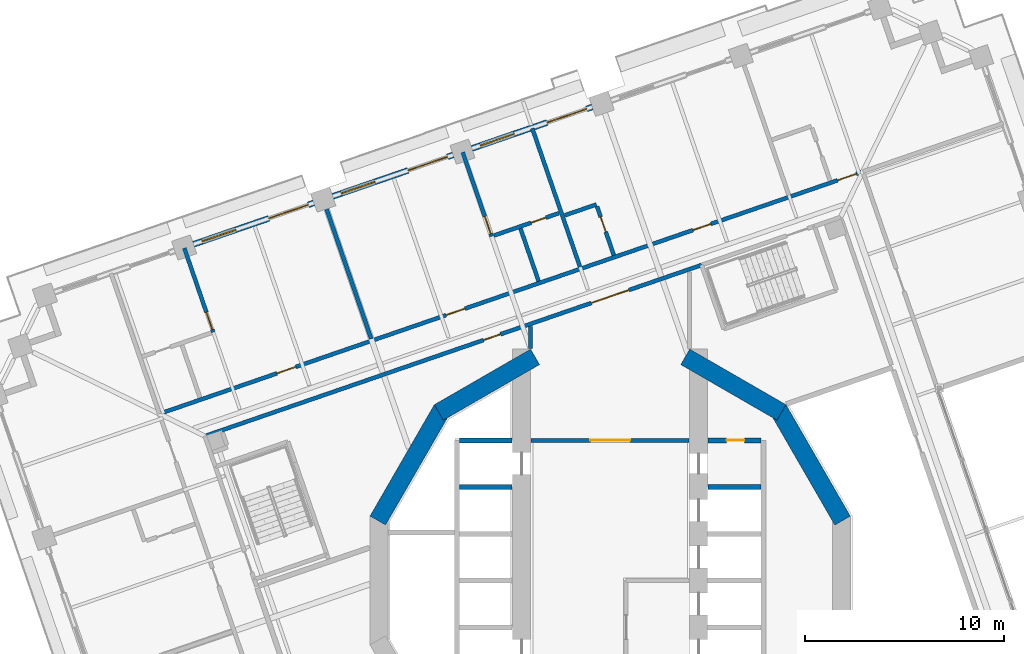
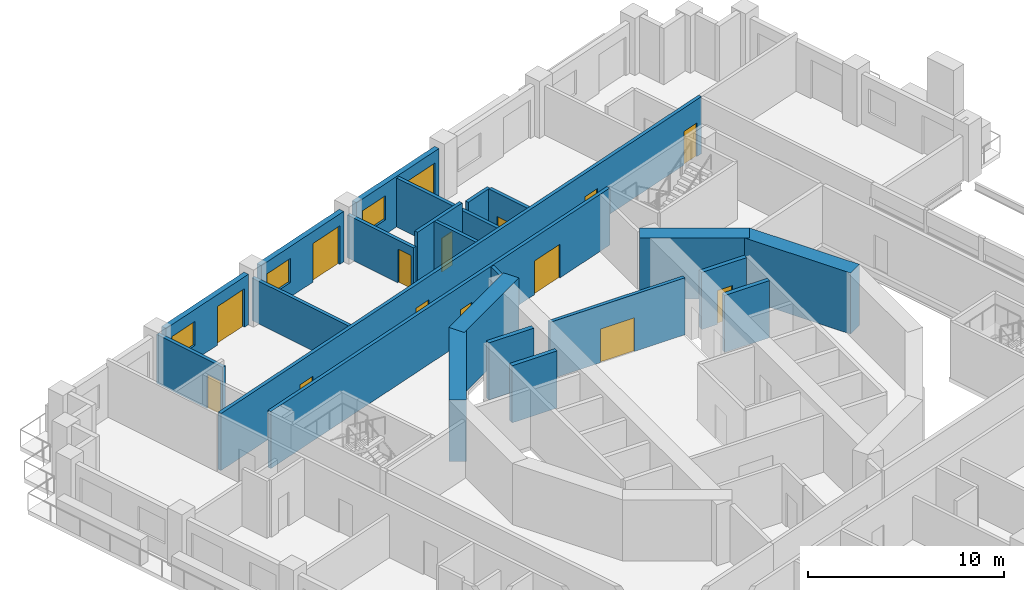
# One storey, part 12 of 21: 23 walls, 15 doors, 3 windows, 18 openings.
"""IFC4 building model written with IfcOpenShell, lengths in metres."""

import ifcopenshell
import ifcopenshell.guid

model = None  # the IFC model being written
_history = None  # IfcOwnerHistory: only IFC2X3 demands one
_inside = {}  # id of a spatial element -> (the spatial element, [elements in it])
_under = {}  # id of a project, library or spatial element -> (it, [spatial elements below it])
_declared = {}  # id of a project -> (the project, [libraries it declares])
_typed = {}  # id of a type object -> (the type object, [elements of that type])
_made_of = {}  # id of a material, layer set ... -> (it, [elements and type objects made of it])


def new_model(schema):
    """Start an empty IFC model of exactly this schema.

    Asked for "IFC4X3", IfcOpenShell would pick the latest addendum, in which some entities
    have other attributes; the version numbers below select the first issue.
    IFC2X3 requires an IfcOwnerHistory on every rooted entity: one is made here for all.
    """
    global model, _history
    if schema == "IFC4X3":
        model = ifcopenshell.file(schema_version=(4, 3, 0, 0))
    else:
        model = ifcopenshell.file(schema=schema)
    _inside.clear()
    _under.clear()
    _declared.clear()
    _typed.clear()
    _made_of.clear()
    _history = None
    if model.schema == "IFC2X3":
        org = make("IfcOrganization", Name="unknown")
        user = make(
            "IfcPersonAndOrganization",
            ThePerson=make("IfcPerson", FamilyName="unknown"),
            TheOrganization=org,
        )
        app = make(
            "IfcApplication",
            ApplicationDeveloper=org,
            Version="unknown",
            ApplicationFullName="unknown",
            ApplicationIdentifier="unknown",
        )
        _history = make(
            "IfcOwnerHistory",
            OwningUser=user,
            OwningApplication=app,
            ChangeAction="ADDED",
            CreationDate=0,
        )
    return model


def make(cls, **values):
    """One entity of the class cls with the attributes given. An attribute that is None is left unset."""
    return model.create_entity(
        cls, **{name: value for name, value in values.items() if value is not None}
    )


def rooted(cls, **values):
    """An entity with a GlobalId (a new one), such as an element, a storey or a relation."""
    return make(cls, GlobalId=ifcopenshell.guid.new(), OwnerHistory=_history, **values)


def si_unit(unit_type, name, prefix=None):
    """IfcSIUnit, for example si_unit("LENGTHUNIT", "METRE", prefix="MILLI")."""
    return make("IfcSIUnit", UnitType=unit_type, Prefix=prefix, Name=name)


def assignment(units):
    """IfcUnitAssignment: the units of a project."""
    return None if units is None else make("IfcUnitAssignment", Units=units)


def point(xyz):
    """IfcCartesianPoint."""
    return None if xyz is None else make("IfcCartesianPoint", Coordinates=xyz)


def direction(xyz):
    """IfcDirection."""
    return None if xyz is None else make("IfcDirection", DirectionRatios=xyz)


def frame(location, z_axis=None, x_axis=None):
    """IfcAxis2Placement3D, a coordinate frame: its origin and axes. An axis left out is left unset."""
    return make(
        "IfcAxis2Placement3D",
        Location=point(location),
        Axis=direction(z_axis),
        RefDirection=direction(x_axis),
    )


def frame_2d(location, x_axis=None):
    """IfcAxis2Placement2D, a coordinate frame in the plane: its origin and x axis."""
    return make(
        "IfcAxis2Placement2D", Location=point(location), RefDirection=direction(x_axis)
    )


def origin():
    """The frame at (0, 0, 0) with its axes left unset."""
    return frame((0.0, 0.0, 0.0))


def place(relative_to, where):
    """IfcLocalPlacement: puts the frame where relative to a parent placement (None: the world)."""
    return make(
        "IfcLocalPlacement", PlacementRelTo=relative_to, RelativePlacement=where
    )


def context(
    kind, dimensions, precision=None, world=None, true_north=None, identifier=None
):
    """IfcGeometricRepresentationContext, for example the 3D "Model" context."""
    return make(
        "IfcGeometricRepresentationContext",
        ContextIdentifier=identifier,
        ContextType=kind,
        CoordinateSpaceDimension=dimensions,
        Precision=precision,
        WorldCoordinateSystem=world,
        TrueNorth=true_north,
    )


def subcontext(parent, identifier, kind, view, scale=None):
    """IfcGeometricRepresentationSubContext, for example "Body" below "Model"."""
    return make(
        "IfcGeometricRepresentationSubContext",
        ContextIdentifier=identifier,
        ContextType=kind,
        ParentContext=parent,
        TargetScale=scale,
        TargetView=view,
    )


def project(units=None, contexts=None):
    """IfcProject with its units and contexts."""
    return rooted(
        "IfcProject",
        Name="project",
        RepresentationContexts=contexts,
        UnitsInContext=assignment(units),
    )


def spatial(cls, under=None, at=None, **own):
    """A site, building, storey or space (cls), placed at a placement, below another one or the project."""
    s = rooted(cls, ObjectPlacement=at, **own)
    if under is not None:
        _under.setdefault(under.id(), (under, []))[1].append(s)
    return s


def profile(cls, at=None, kind="AREA", **sizes):
    """A parametric profile (cls). Its sizes go by their IFC names, for example OverallWidth=200.0."""
    return make(cls, ProfileType=kind, Position=at, **sizes)


def rectangle(**sizes):
    """IfcRectangleProfileDef."""
    return profile("IfcRectangleProfileDef", **sizes)


def extrude(swept, where, along, depth):
    """IfcExtrudedAreaSolid: the profile swept, set in the frame where, extruded along a direction by depth."""
    return make(
        "IfcExtrudedAreaSolid",
        SweptArea=swept,
        Position=where,
        ExtrudedDirection=direction(along),
        Depth=depth,
    )


def shape(context_of_items, identifier, shape_type, items):
    """IfcShapeRepresentation: the items that make up one representation, for example the "Body"."""
    return make(
        "IfcShapeRepresentation",
        ContextOfItems=context_of_items,
        RepresentationIdentifier=identifier,
        RepresentationType=shape_type,
        Items=items,
    )


def material(Name=None, Category=None):
    """IfcMaterial."""
    return make("IfcMaterial", Name=Name, Category=Category)


def layer(
    of_material, thickness, ventilated=None, Name=None, Category=None, Priority=None
):
    """IfcMaterialLayer: one layer of a wall or slab, of a material (None: an air gap)."""
    return make(
        "IfcMaterialLayer",
        Material=of_material,
        LayerThickness=thickness,
        IsVentilated=ventilated,
        Name=Name,
        Category=Category,
        Priority=Priority,
    )


def layer_set(layers, Name=None):
    """IfcMaterialLayerSet."""
    return make("IfcMaterialLayerSet", MaterialLayers=layers, LayerSetName=Name)


def made_of(thing, what):
    """Note that an element or type object is made of a material, layer set ...; save() writes the relation."""
    if what is not None:
        _made_of.setdefault(what.id(), (what, []))[1].append(thing)
    return thing


def type_object(cls, material=None, **own):
    """A type object (cls), such as IfcWallType, which elements share."""
    return made_of(rooted(cls, **own), material)


def element(
    cls,
    number,
    at=None,
    inside=None,
    cuts=None,
    type_object=None,
    material=None,
    context=None,
    identifier="Body",
    shape_type=None,
    held_by="IfcProductDefinitionShape",
    body=None,
    shapes=None,
    **own,
):
    """One element of the class cls, such as IfcWall. Its Tag is "e" and its number.

    at: its placement. inside: the storey or other place that contains it. cuts: it is an
    opening in that element (IfcRelVoidsElement). A single representation is given by context,
    identifier, shape_type and body (its items); several are given by shapes. held_by: the class
    of the entity that holds the representations. save() writes the other relations.
    """
    e = rooted(cls, Tag="e%d" % number, ObjectPlacement=at, **own)
    if body is not None:
        shapes = [shape(context, identifier, shape_type, body)]
    if shapes is not None:
        e.Representation = make(held_by, Representations=shapes)
    if inside is not None:
        _inside.setdefault(inside.id(), (inside, []))[1].append(e)
    if cuts is not None:
        rooted(
            "IfcRelVoidsElement", RelatingBuildingElement=cuts, RelatedOpeningElement=e
        )
    if type_object is not None:
        _typed.setdefault(type_object.id(), (type_object, []))[1].append(e)
    return made_of(e, material)


def fill(opening, filler):
    """IfcRelFillsElement: the door or window that sits in an opening."""
    return rooted(
        "IfcRelFillsElement",
        RelatingOpeningElement=opening,
        RelatedBuildingElement=filler,
    )


def aggregate(whole, parts):
    """IfcRelAggregates: a whole, such as a stair, and the parts it consists of."""
    return rooted("IfcRelAggregates", RelatingObject=whole, RelatedObjects=parts)


def save(model, path):
    """Write the relations noted so far, then the file.

    IfcRelAggregates (storeys below a building ...), IfcRelContainedInSpatialStructure (elements
    in a storey), IfcRelDefinesByType, IfcRelAssociatesMaterial and IfcRelDeclares: one each for
    every whole, place, type object, material and project.
    """
    for whole, parts in _under.values():
        aggregate(whole, parts)
    for where, things in _inside.values():
        rooted(
            "IfcRelContainedInSpatialStructure",
            RelatedElements=things,
            RelatingStructure=where,
        )
    for kind, things in _typed.values():
        rooted("IfcRelDefinesByType", RelatedObjects=things, RelatingType=kind)
    for what, things in _made_of.values():
        rooted("IfcRelAssociatesMaterial", RelatedObjects=things, RelatingMaterial=what)
    for by, libraries in _declared.values():
        rooted("IfcRelDeclares", RelatingContext=by, RelatedDefinitions=libraries)
    model.write(path)


model = new_model("IFC4")

# Units and contexts
model_context = context("Model", 3, precision=1e-05, world=origin(), true_north=direction((0.0, 1.0)))
body_context = subcontext(model_context, "Body", "Model", "MODEL_VIEW")
ifc_project = project(units=[si_unit("LENGTHUNIT", "METRE"), si_unit("AREAUNIT", "SQUARE_METRE"), si_unit("VOLUMEUNIT", "CUBIC_METRE"), si_unit("PLANEANGLEUNIT", "RADIAN"), si_unit("MASSUNIT", "GRAM", prefix="KILO")], contexts=[model_context])

# Site, building, storey
site_placement = place(None, origin())
site = spatial("IfcSite", under=ifc_project, at=site_placement, CompositionType="ELEMENT")
building_placement = place(site_placement, origin())
building = spatial("IfcBuilding", under=site, at=building_placement, Name="Cantera Rosa Tower", CompositionType="ELEMENT")
storey_placement = place(building_placement, frame((0.0, 0.0, 119.300048828125)))
storey = spatial("IfcBuildingStorey", under=building, at=storey_placement, Name="L24", CompositionType="ELEMENT", Elevation=119.300048828125)

# Wall
ifc_material_1 = material(Name="Gypsum board partition")
ifc_layer_1 = layer(ifc_material_1, 0.199951171875)
ifc_layer_set_1 = layer_set([ifc_layer_1], Name="CORRIDOR WALL 200 H3550")
wall_type_1 = type_object("IfcWallType", Name="CORRIDOR WALL 200 H3550", PredefinedType="PARTITIONING", material=ifc_layer_set_1)
wall_1_placement = place(storey_placement, frame((-4.0, 12.760498046875, 0.0), z_axis=(0.0, 0.0, 1.0), x_axis=(0.0, -1.0, 0.0)))
element("IfcWall", 1, at=wall_1_placement, inside=storey, type_object=wall_type_1, Name="CORRIDOR WALL L24-050", PredefinedType="PARTITIONING", context=body_context, shape_type="SweptSolid", body=[
    extrude(rectangle(XDim=1.09326171875, YDim=0.199951171875, at=frame_2d((0.546630859375, 0.0))), origin(), (0.0, 0.0, 1.0), 3.550048828125),
])

# Wall, opening, door
wall_2_placement = place(storey_placement, frame((-3.969970703125, 7.050048828125, 0.0), z_axis=(0.0, 0.0, 1.0), x_axis=(1.0, 0.0, 0.0)))
wall_2 = element("IfcWall", 2, at=wall_2_placement, inside=storey, type_object=wall_type_1, Name="CORRIDOR WALL L24-051", PredefinedType="PARTITIONING", context=body_context, shape_type="SweptSolid", body=[
    extrude(rectangle(XDim=7.93994140625, YDim=0.199951171875, at=frame_2d((3.969970703125, 0.0))), origin(), (0.0, 0.0, 1.0), 3.550048828125),
])
opening_1_placement = place(wall_2_placement, frame((2.969970703125, 0.0, 0.0)))
opening_1 = element("IfcOpeningElement", 3, at=opening_1_placement, cuts=wall_2, Name="Opening L24-008", PredefinedType="OPENING", context=body_context, shape_type="SweptSolid", body=[
    extrude(rectangle(XDim=2.0, YDim=2.10009765625, at=frame_2d((1.0, 1.050048828125))), frame((0.0, 0.10986328125, 0.0), z_axis=(0.0, -1.0, 0.0), x_axis=(1.0, 0.0, 0.0)), (0.0, 0.0, 1.0), 0.219970703125),
])
ifc_material_2 = material(Name="Steel S355J2 (EN 10025-2)", Category="steel")
door_type_1 = type_object("IfcDoorType", Name="LOBBY SCREEN DOOR 2000x2100", OperationType="NOTDEFINED", PredefinedType="DOOR", material=ifc_material_2)
door_1_placement = place(opening_1_placement, origin())
door_1 = element("IfcDoor", 4, at=door_1_placement, inside=storey, type_object=door_type_1, Name="DOOR L24-008", OperationType="NOTDEFINED", OverallHeight=2.10009765625, OverallWidth=2.0, PredefinedType="DOOR", context=body_context, shape_type="SweptSolid", body=[
    extrude(rectangle(XDim=2.0, YDim=2.10009765625, at=frame_2d((1.0, 1.050048828125))), frame((0.0, 0.02490234375, 0.0), z_axis=(0.0, -1.0, 0.0), x_axis=(1.0, 0.0, 0.0)), (0.0, 0.0, 1.0), 0.050048828125),
])
fill(opening_1, door_1)

# Wall, openings, doors
wall_3_placement = place(storey_placement, frame((4.599365234375, 15.861572265625, 0.0), z_axis=(0.0, 0.0, 1.0), x_axis=(-0.945517734257, -0.325570597884, 0.0)))
wall_3 = element("IfcWall", 5, at=wall_3_placement, inside=storey, type_object=wall_type_1, Name="CORRIDOR WALL L24-071", PredefinedType="PARTITIONING", context=body_context, shape_type="SweptSolid", body=[
    extrude(rectangle(XDim=26.312744140625, YDim=0.199951171875, at=frame_2d((13.15625, 0.0))), origin(), (0.0, 0.0, 1.0), 3.550048828125),
])
opening_2_placement = place(wall_3_placement, frame((10.697021484375, 0.0, 0.0)))
opening_2 = element("IfcOpeningElement", 6, at=opening_2_placement, cuts=wall_3, Name="Opening L24-004", PredefinedType="OPENING", context=body_context, shape_type="SweptSolid", body=[
    extrude(rectangle(XDim=0.89990234375, YDim=2.10009765625, at=frame_2d((0.449951171875, 1.050048828125))), frame((0.0, 0.10986328125, 0.0), z_axis=(0.0, -1.0, 0.0), x_axis=(1.0, 0.0, 0.0)), (0.0, 0.0, 1.0), 0.219970703125),
])
opening_3_placement = place(wall_3_placement, frame((3.864501953125, 0.0, 0.0)))
opening_3 = element("IfcOpeningElement", 7, at=opening_3_placement, cuts=wall_3, Name="Opening L24-007", PredefinedType="OPENING", context=body_context, shape_type="SweptSolid", body=[
    extrude(rectangle(XDim=2.0, YDim=2.10009765625, at=frame_2d((1.0, 1.050048828125))), frame((0.0, 0.10986328125, 0.0), z_axis=(0.0, -1.0, 0.0), x_axis=(1.0, 0.0, 0.0)), (0.0, 0.0, 1.0), 0.219970703125),
])
door_2_placement = place(opening_3_placement, origin())
door_2 = element("IfcDoor", 8, at=door_2_placement, inside=storey, type_object=door_type_1, Name="DOOR L24-007", OperationType="NOTDEFINED", OverallHeight=2.10009765625, OverallWidth=2.0, PredefinedType="DOOR", context=body_context, shape_type="SweptSolid", body=[
    extrude(rectangle(XDim=2.0, YDim=2.10009765625, at=frame_2d((1.0, 1.050048828125))), frame((0.0, 0.02490234375, 0.0), z_axis=(0.0, -1.0, 0.0), x_axis=(1.0, 0.0, 0.0)), (0.0, 0.0, 1.0), 0.050048828125),
])
fill(opening_3, door_2)
ifc_material_3 = material(Name="Timber door leaf", Category="wood")
door_type_2 = type_object("IfcDoorType", Name="SERVICE DOOR 900x2100", OperationType="NOTDEFINED", PredefinedType="DOOR", material=ifc_material_3)
door_3_placement = place(opening_2_placement, origin())
door_3 = element("IfcDoor", 9, at=door_3_placement, inside=storey, type_object=door_type_2, Name="DOOR L24-004", OperationType="NOTDEFINED", OverallHeight=2.10009765625, OverallWidth=0.89990234375, PredefinedType="DOOR", context=body_context, shape_type="SweptSolid", body=[
    extrude(rectangle(XDim=0.89990234375, YDim=2.10009765625, at=frame_2d((0.449951171875, 1.050048828125))), frame((0.0, 0.02490234375, 0.0), z_axis=(0.0, -1.0, 0.0), x_axis=(1.0, 0.0, 0.0)), (0.0, 0.0, 1.0), 0.050048828125),
])
fill(opening_2, door_3)

wall_4_placement = place(storey_placement, frame((12.699951171875, 20.5546875, 0.0), z_axis=(0.0, 0.0, 1.0), x_axis=(-0.945517636741, -0.325570881087, 0.0)))
wall_4 = element("IfcWall", 10, at=wall_4_placement, inside=storey, type_object=wall_type_1, Name="CORRIDOR WALL L24-093", PredefinedType="PARTITIONING", context=body_context, shape_type="SweptSolid", body=[
    extrude(rectangle(XDim=37.300048828125, YDim=0.199951171875, at=frame_2d((18.64990234375, 0.0))), origin(), (0.0, 0.0, 1.0), 3.550048828125),
])
opening_4_placement = place(wall_4_placement, frame((8.074951171875, 0.0, 0.0)))
opening_4 = element("IfcOpeningElement", 11, at=opening_4_placement, cuts=wall_4, Name="Opening L24-017", PredefinedType="OPENING", context=body_context, shape_type="SweptSolid", body=[
    extrude(rectangle(XDim=0.949951171875, YDim=2.10009765625, at=frame_2d((0.47509765625, 1.050048828125))), frame((0.0, 0.10986328125, 0.0), z_axis=(0.0, -1.0, 0.0), x_axis=(1.0, 0.0, 0.0)), (0.0, 0.0, 1.0), 0.219970703125),
])
opening_5_placement = place(wall_4_placement, frame((21.14990234375, 0.0, 0.0)))
opening_5 = element("IfcOpeningElement", 12, at=opening_5_placement, cuts=wall_4, Name="Opening L24-019", PredefinedType="OPENING", context=body_context, shape_type="SweptSolid", body=[
    extrude(rectangle(XDim=1.0, YDim=2.10009765625, at=frame_2d((0.5, 1.050048828125))), frame((0.0, 0.10986328125, 0.0), z_axis=(0.0, -1.0, 0.0), x_axis=(1.0, 0.0, 0.0)), (0.0, 0.0, 1.0), 0.219970703125),
])
opening_6_placement = place(wall_4_placement, frame((30.14990234375, 0.0, 0.0)))
opening_6 = element("IfcOpeningElement", 13, at=opening_6_placement, cuts=wall_4, Name="Opening L24-022", PredefinedType="OPENING", context=body_context, shape_type="SweptSolid", body=[
    extrude(rectangle(XDim=1.0, YDim=2.10009765625, at=frame_2d((0.5, 1.050048828125))), frame((0.0, 0.10986328125, 0.0), z_axis=(0.0, -1.0, 0.0), x_axis=(1.0, 0.0, 0.0)), (0.0, 0.0, 1.0), 0.219970703125),
])
opening_7_placement = place(wall_4_placement, frame((0.35009765625, 0.0, 0.0)))
opening_7 = element("IfcOpeningElement", 14, at=opening_7_placement, cuts=wall_4, Name="Opening L24-025", PredefinedType="OPENING", context=body_context, shape_type="SweptSolid", body=[
    extrude(rectangle(XDim=1.0, YDim=2.10009765625, at=frame_2d((0.5, 1.050048828125))), frame((0.0, 0.10986328125, 0.0), z_axis=(0.0, -1.0, 0.0), x_axis=(1.0, 0.0, 0.0)), (0.0, 0.0, 1.0), 0.219970703125),
])
ifc_material_4 = material(Name="Timber door leaf", Category="wood")
door_type_3 = type_object("IfcDoorType", Name="ENTRANCE DOOR 1000x2100", OperationType="NOTDEFINED", PredefinedType="DOOR", material=ifc_material_4)
door_4_placement = place(opening_5_placement, origin())
door_4 = element("IfcDoor", 15, at=door_4_placement, inside=storey, type_object=door_type_3, Name="DOOR L24-019", OperationType="NOTDEFINED", OverallHeight=2.10009765625, OverallWidth=1.0, PredefinedType="DOOR", context=body_context, shape_type="SweptSolid", body=[
    extrude(rectangle(XDim=1.0, YDim=2.10009765625, at=frame_2d((0.5, 1.050048828125))), frame((0.0, 0.02490234375, 0.0), z_axis=(0.0, -1.0, 0.0), x_axis=(1.0, 0.0, 0.0)), (0.0, 0.0, 1.0), 0.050048828125),
])
fill(opening_5, door_4)
door_5_placement = place(opening_6_placement, origin())
door_5 = element("IfcDoor", 16, at=door_5_placement, inside=storey, type_object=door_type_3, Name="DOOR L24-022", OperationType="NOTDEFINED", OverallHeight=2.10009765625, OverallWidth=1.0, PredefinedType="DOOR", context=body_context, shape_type="SweptSolid", body=[
    extrude(rectangle(XDim=1.0, YDim=2.10009765625, at=frame_2d((0.5, 1.050048828125))), frame((0.0, 0.02490234375, 0.0), z_axis=(0.0, -1.0, 0.0), x_axis=(1.0, 0.0, 0.0)), (0.0, 0.0, 1.0), 0.050048828125),
])
fill(opening_6, door_5)
door_6_placement = place(opening_7_placement, origin())
door_6 = element("IfcDoor", 17, at=door_6_placement, inside=storey, type_object=door_type_3, Name="DOOR L24-025", OperationType="NOTDEFINED", OverallHeight=2.10009765625, OverallWidth=1.0, PredefinedType="DOOR", context=body_context, shape_type="SweptSolid", body=[
    extrude(rectangle(XDim=1.0, YDim=2.10009765625, at=frame_2d((0.5, 1.050048828125))), frame((0.0, 0.02490234375, 0.0), z_axis=(0.0, -1.0, 0.0), x_axis=(1.0, 0.0, 0.0)), (0.0, 0.0, 1.0), 0.050048828125),
])
fill(opening_7, door_6)
ifc_material_5 = material(Name="Timber door leaf", Category="wood")
door_type_4 = type_object("IfcDoorType", Name="ROOM DOOR 950x2100", OperationType="NOTDEFINED", PredefinedType="DOOR", material=ifc_material_5)
door_7_placement = place(opening_4_placement, origin())
door_7 = element("IfcDoor", 18, at=door_7_placement, inside=storey, type_object=door_type_4, Name="DOOR L24-017", OperationType="NOTDEFINED", OverallHeight=2.10009765625, OverallWidth=0.949951171875, PredefinedType="DOOR", context=body_context, shape_type="SweptSolid", body=[
    extrude(rectangle(XDim=0.949951171875, YDim=2.10009765625, at=frame_2d((0.47509765625, 1.050048828125))), frame((0.0, 0.02490234375, 0.0), z_axis=(0.0, -1.0, 0.0), x_axis=(1.0, 0.0, 0.0)), (0.0, 0.0, 1.0), 0.050048828125),
])
fill(opening_4, door_7)

# Wall, openings, window, door
ifc_material_6 = material(Name="Hollow clay masonry with cantera stone cladding", Category="masonry")
ifc_layer_2 = layer(ifc_material_6, 0.300048828125)
ifc_layer_set_2 = layer_set([ifc_layer_2], Name="EW-LOGGIA 300 H3140")
wall_type_2 = type_object("IfcWallType", Name="EW-LOGGIA 300 H3140", PredefinedType="SOLIDWALL", material=ifc_layer_set_2)
wall_5_placement = place(storey_placement, frame((-0.89892578125, 23.80419921875, 0.0), z_axis=(0.0, 0.0, 1.0), x_axis=(-0.945524496524, -0.325550958337, 0.0)))
wall_5 = element("IfcWall", 19, at=wall_5_placement, inside=storey, type_object=wall_type_2, Name="EN-L24-W10", PredefinedType="SOLIDWALL", context=body_context, shape_type="SweptSolid", body=[
    extrude(rectangle(XDim=6.39990234375, YDim=0.300048828125, at=frame_2d((3.199951171875, 0.0))), origin(), (0.0, 0.0, 1.0), 3.139892578125),
])
opening_8_placement = place(wall_5_placement, frame((0.300048828125, 0.0, 0.0)))
opening_8 = element("IfcOpeningElement", 20, at=opening_8_placement, cuts=wall_5, Name="Opening L24-TD11", PredefinedType="OPENING", context=body_context, shape_type="SweptSolid", body=[
    extrude(rectangle(XDim=2.10009765625, YDim=2.39990234375, at=frame_2d((1.050048828125, 1.199951171875))), frame((0.0, 0.159912109375, 0.0), z_axis=(0.0, -1.0, 0.0), x_axis=(1.0, 0.0, 0.0)), (0.0, 0.0, 1.0), 0.320068359375),
])
opening_9_placement = place(wall_5_placement, frame((4.14990234375, 0.0, 0.89990234375)))
opening_9 = element("IfcOpeningElement", 21, at=opening_9_placement, cuts=wall_5, Name="Opening L24-W12", PredefinedType="OPENING", context=body_context, shape_type="SweptSolid", body=[
    extrude(rectangle(XDim=1.800048828125, YDim=1.5, at=frame_2d((0.89990234375, 0.75))), frame((0.0, 0.159912109375, 0.0), z_axis=(0.0, -1.0, 0.0), x_axis=(1.0, 0.0, 0.0)), (0.0, 0.0, 1.0), 0.320068359375),
])
ifc_material_7 = material(Name="Aluminium frame with clear glass", Category="aluminium")
window_type = type_object("IfcWindowType", Name="Hotel room window 1800x1500", PartitioningType="DOUBLE_PANEL_VERTICAL", PredefinedType="WINDOW", material=ifc_material_7)
window_1_placement = place(opening_9_placement, origin())
window_1 = element("IfcWindow", 22, at=window_1_placement, inside=storey, type_object=window_type, Name="WINDOW L24-W12", OverallHeight=1.5, OverallWidth=1.800048828125, PartitioningType="SINGLE_PANEL", PredefinedType="WINDOW", context=body_context, shape_type="SweptSolid", body=[
    extrude(rectangle(XDim=1.800048828125, YDim=1.5, at=frame_2d((0.89990234375, 0.75))), frame((0.0, 0.030029296875, 0.0), z_axis=(0.0, -1.0, 0.0), x_axis=(1.0, 0.0, 0.0)), (0.0, 0.0, 1.0), 0.06005859375),
])
fill(opening_9, window_1)
ifc_material_8 = material(Name="Aluminium frame with clear glass", Category="aluminium")
door_type_5 = type_object("IfcDoorType", Name="TD-H 2100x2400", OperationType="NOTDEFINED", PredefinedType="DOOR", material=ifc_material_8)
door_8_placement = place(opening_8_placement, origin())
door_8 = element("IfcDoor", 23, at=door_8_placement, inside=storey, type_object=door_type_5, Name="LOGGIA DOOR L24-TD11", OperationType="SLIDING_TO_LEFT", OverallHeight=2.39990234375, OverallWidth=2.10009765625, PredefinedType="DOOR", context=body_context, shape_type="SweptSolid", body=[
    extrude(rectangle(XDim=2.10009765625, YDim=2.39990234375, at=frame_2d((1.050048828125, 1.199951171875))), frame((0.0, 0.02490234375, 0.0), z_axis=(0.0, -1.0, 0.0), x_axis=(1.0, 0.0, 0.0)), (0.0, 0.0, 1.0), 0.050048828125),
])
fill(opening_8, door_8)

wall_6_placement = place(storey_placement, frame((-7.895751953125, 21.39501953125, 0.0), z_axis=(0.0, 0.0, 1.0), x_axis=(-0.945524496524, -0.325550958337, 0.0)))
wall_6 = element("IfcWall", 24, at=wall_6_placement, inside=storey, type_object=wall_type_2, Name="EN-L24-W11", PredefinedType="SOLIDWALL", context=body_context, shape_type="SweptSolid", body=[
    extrude(rectangle(XDim=6.39990234375, YDim=0.300048828125, at=frame_2d((3.199951171875, 0.0))), origin(), (0.0, 0.0, 1.0), 3.139892578125),
])
opening_10_placement = place(wall_6_placement, frame((0.300048828125, 0.0, 0.0)))
opening_10 = element("IfcOpeningElement", 25, at=opening_10_placement, cuts=wall_6, Name="Opening L24-TD13", PredefinedType="OPENING", context=body_context, shape_type="SweptSolid", body=[
    extrude(rectangle(XDim=2.10009765625, YDim=2.39990234375, at=frame_2d((1.050048828125, 1.199951171875))), frame((0.0, 0.159912109375, 0.0), z_axis=(0.0, -1.0, 0.0), x_axis=(1.0, 0.0, 0.0)), (0.0, 0.0, 1.0), 0.320068359375),
])
opening_11_placement = place(wall_6_placement, frame((4.14990234375, 0.0, 0.89990234375)))
opening_11 = element("IfcOpeningElement", 26, at=opening_11_placement, cuts=wall_6, Name="Opening L24-W14", PredefinedType="OPENING", context=body_context, shape_type="SweptSolid", body=[
    extrude(rectangle(XDim=1.800048828125, YDim=1.5, at=frame_2d((0.89990234375, 0.75))), frame((0.0, 0.159912109375, 0.0), z_axis=(0.0, -1.0, 0.0), x_axis=(1.0, 0.0, 0.0)), (0.0, 0.0, 1.0), 0.320068359375),
])
window_2_placement = place(opening_11_placement, origin())
window_2 = element("IfcWindow", 27, at=window_2_placement, inside=storey, type_object=window_type, Name="WINDOW L24-W14", OverallHeight=1.5, OverallWidth=1.800048828125, PartitioningType="SINGLE_PANEL", PredefinedType="WINDOW", context=body_context, shape_type="SweptSolid", body=[
    extrude(rectangle(XDim=1.800048828125, YDim=1.5, at=frame_2d((0.89990234375, 0.75))), frame((0.0, 0.030029296875, 0.0), z_axis=(0.0, -1.0, 0.0), x_axis=(1.0, 0.0, 0.0)), (0.0, 0.0, 1.0), 0.06005859375),
])
fill(opening_11, window_2)
door_9_placement = place(opening_10_placement, origin())
door_9 = element("IfcDoor", 28, at=door_9_placement, inside=storey, type_object=door_type_5, Name="LOGGIA DOOR L24-TD13", OperationType="SLIDING_TO_LEFT", OverallHeight=2.39990234375, OverallWidth=2.10009765625, PredefinedType="DOOR", context=body_context, shape_type="SweptSolid", body=[
    extrude(rectangle(XDim=2.10009765625, YDim=2.39990234375, at=frame_2d((1.050048828125, 1.199951171875))), frame((0.0, 0.02490234375, 0.0), z_axis=(0.0, -1.0, 0.0), x_axis=(1.0, 0.0, 0.0)), (0.0, 0.0, 1.0), 0.050048828125),
])
fill(opening_10, door_9)

wall_7_placement = place(storey_placement, frame((-14.892578125, 18.98583984375, 0.0), z_axis=(0.0, 0.0, 1.0), x_axis=(-0.945512753621, -0.325585062219, 0.0)))
wall_7 = element("IfcWall", 29, at=wall_7_placement, inside=storey, type_object=wall_type_2, Name="EN-L24-W12", PredefinedType="SOLIDWALL", context=body_context, shape_type="SweptSolid", body=[
    extrude(rectangle(XDim=6.39990234375, YDim=0.300048828125, at=frame_2d((3.199951171875, 0.0))), origin(), (0.0, 0.0, 1.0), 3.139892578125),
])
opening_12_placement = place(wall_7_placement, frame((0.300048828125, 0.0, 0.0)))
opening_12 = element("IfcOpeningElement", 30, at=opening_12_placement, cuts=wall_7, Name="Opening L24-TD15", PredefinedType="OPENING", context=body_context, shape_type="SweptSolid", body=[
    extrude(rectangle(XDim=2.10009765625, YDim=2.39990234375, at=frame_2d((1.050048828125, 1.199951171875))), frame((0.0, 0.159912109375, 0.0), z_axis=(0.0, -1.0, 0.0), x_axis=(1.0, 0.0, 0.0)), (0.0, 0.0, 1.0), 0.320068359375),
])
opening_13_placement = place(wall_7_placement, frame((4.14990234375, 0.0, 0.89990234375)))
opening_13 = element("IfcOpeningElement", 31, at=opening_13_placement, cuts=wall_7, Name="Opening L24-W16", PredefinedType="OPENING", context=body_context, shape_type="SweptSolid", body=[
    extrude(rectangle(XDim=1.800048828125, YDim=1.5, at=frame_2d((0.89990234375, 0.75))), frame((0.0, 0.159912109375, 0.0), z_axis=(0.0, -1.0, 0.0), x_axis=(1.0, 0.0, 0.0)), (0.0, 0.0, 1.0), 0.320068359375),
])
window_3_placement = place(opening_13_placement, origin())
window_3 = element("IfcWindow", 32, at=window_3_placement, inside=storey, type_object=window_type, Name="WINDOW L24-W16", OverallHeight=1.5, OverallWidth=1.800048828125, PartitioningType="SINGLE_PANEL", PredefinedType="WINDOW", context=body_context, shape_type="SweptSolid", body=[
    extrude(rectangle(XDim=1.800048828125, YDim=1.5, at=frame_2d((0.89990234375, 0.75))), frame((0.0, 0.030029296875, 0.0), z_axis=(0.0, -1.0, 0.0), x_axis=(1.0, 0.0, 0.0)), (0.0, 0.0, 1.0), 0.06005859375),
])
fill(opening_13, window_3)
door_10_placement = place(opening_12_placement, origin())
door_10 = element("IfcDoor", 33, at=door_10_placement, inside=storey, type_object=door_type_5, Name="LOGGIA DOOR L24-TD15", OperationType="SLIDING_TO_LEFT", OverallHeight=2.39990234375, OverallWidth=2.10009765625, PredefinedType="DOOR", context=body_context, shape_type="SweptSolid", body=[
    extrude(rectangle(XDim=2.10009765625, YDim=2.39990234375, at=frame_2d((1.050048828125, 1.199951171875))), frame((0.0, 0.02490234375, 0.0), z_axis=(0.0, -1.0, 0.0), x_axis=(1.0, 0.0, 0.0)), (0.0, 0.0, 1.0), 0.050048828125),
])
fill(opening_12, door_10)

# Wall, opening, door
ifc_material_9 = material(Name="Gypsum board partition")
ifc_layer_3 = layer(ifc_material_9, 0.199951171875)
ifc_layer_set_3 = layer_set([ifc_layer_3], Name="PARTITION 200 H2650")
wall_type_3 = type_object("IfcWallType", Name="PARTITION 200 H2650", PredefinedType="PARTITIONING", material=ifc_layer_set_3)
wall_8_placement = place(storey_placement, frame((-5.9580078125, 17.302978515625, 0.0), z_axis=(0.0, 0.0, 1.0), x_axis=(-0.325519343344, 0.945535381204, 0.0)))
wall_8 = element("IfcWall", 34, at=wall_8_placement, inside=storey, type_object=wall_type_3, Name="PARTITION L24-046", PredefinedType="PARTITIONING", context=body_context, shape_type="SweptSolid", body=[
    extrude(rectangle(XDim=4.469970703125, YDim=0.199951171875, at=frame_2d((2.23486328125, 0.0))), origin(), (0.0, 0.0, 1.0), 2.64990234375),
])
opening_14_placement = place(wall_8_placement, frame((0.14990234375, 0.0, 0.0)))
opening_14 = element("IfcOpeningElement", 35, at=opening_14_placement, cuts=wall_8, Name="Opening L24-020", PredefinedType="OPENING", context=body_context, shape_type="SweptSolid", body=[
    extrude(rectangle(XDim=0.89990234375, YDim=2.10009765625, at=frame_2d((0.449951171875, 1.050048828125))), frame((0.0, 0.10986328125, 0.0), z_axis=(0.0, -1.0, 0.0), x_axis=(1.0, 0.0, 0.0)), (0.0, 0.0, 1.0), 0.219970703125),
])
ifc_material_10 = material(Name="Timber door leaf", Category="wood")
door_type_6 = type_object("IfcDoorType", Name="ROOM DOOR 900x2100", OperationType="NOTDEFINED", PredefinedType="DOOR", material=ifc_material_10)
door_11_placement = place(opening_14_placement, origin())
door_11 = element("IfcDoor", 36, at=door_11_placement, inside=storey, type_object=door_type_6, Name="DOOR L24-020", OperationType="NOTDEFINED", OverallHeight=2.10009765625, OverallWidth=0.89990234375, PredefinedType="DOOR", context=body_context, shape_type="SweptSolid", body=[
    extrude(rectangle(XDim=0.89990234375, YDim=2.10009765625, at=frame_2d((0.449951171875, 1.050048828125))), frame((0.0, 0.02490234375, 0.0), z_axis=(0.0, -1.0, 0.0), x_axis=(1.0, 0.0, 0.0)), (0.0, 0.0, 1.0), 0.050048828125),
])
fill(opening_14, door_11)

ifc_material_11 = material(Name="Gypsum board partition")
ifc_layer_4 = layer(ifc_material_11, 0.199951171875)
ifc_layer_set_4 = layer_set([ifc_layer_4], Name="PARTITION 200 H3050")
wall_type_4 = type_object("IfcWallType", Name="PARTITION 200 H3050", PredefinedType="PARTITIONING", material=ifc_layer_set_4)
wall_9_placement = place(storey_placement, frame((-21.406982421875, 16.7109375, 0.0), z_axis=(0.0, 0.0, 1.0), x_axis=(0.325584985388, -0.945512780078, 0.0)))
wall_9 = element("IfcWall", 37, at=wall_9_placement, inside=storey, type_object=wall_type_4, Name="PARTITION L24-006", PredefinedType="PARTITIONING", context=body_context, shape_type="SweptSolid", body=[
    extrude(rectangle(XDim=4.469970703125, YDim=0.199951171875, at=frame_2d((2.23486328125, 0.0))), origin(), (0.0, 0.0, 1.0), 3.050048828125),
])
opening_15_placement = place(wall_9_placement, frame((3.419921875, 0.0, 0.0)))
opening_15 = element("IfcOpeningElement", 38, at=opening_15_placement, cuts=wall_9, Name="Opening L24-023", PredefinedType="OPENING", context=body_context, shape_type="SweptSolid", body=[
    extrude(rectangle(XDim=0.89990234375, YDim=2.10009765625, at=frame_2d((0.449951171875, 1.050048828125))), frame((0.0, 0.10986328125, 0.0), z_axis=(0.0, -1.0, 0.0), x_axis=(1.0, 0.0, 0.0)), (0.0, 0.0, 1.0), 0.219970703125),
])
door_12_placement = place(opening_15_placement, origin())
door_12 = element("IfcDoor", 39, at=door_12_placement, inside=storey, type_object=door_type_6, Name="DOOR L24-023", OperationType="NOTDEFINED", OverallHeight=2.10009765625, OverallWidth=0.89990234375, PredefinedType="DOOR", context=body_context, shape_type="SweptSolid", body=[
    extrude(rectangle(XDim=0.89990234375, YDim=2.10009765625, at=frame_2d((0.449951171875, 1.050048828125))), frame((0.0, 0.02490234375, 0.0), z_axis=(0.0, -1.0, 0.0), x_axis=(1.0, 0.0, 0.0)), (0.0, 0.0, 1.0), 0.050048828125),
])
fill(opening_15, door_12)

# Wall
ifc_material_12 = material(Name="Gypsum board partition")
ifc_layer_5 = layer(ifc_material_12, 0.199951171875)
ifc_layer_set_5 = layer_set([ifc_layer_5], Name="PARTITION 200 H3550")
wall_type_5 = type_object("IfcWallType", Name="PARTITION 200 H3550", PredefinedType="PARTITIONING", material=ifc_layer_set_5)
wall_10_placement = place(storey_placement, frame((-3.595458984375, 15.04931640625, 0.0), z_axis=(0.0, 0.0, 1.0), x_axis=(-0.325576835135, 0.945515586558, 0.0)))
element("IfcWall", 40, at=wall_10_placement, inside=storey, type_object=wall_type_5, Name="PARTITION L24-052", PredefinedType="PARTITIONING", context=body_context, shape_type="SweptSolid", body=[
    extrude(rectangle(XDim=2.800048828125, YDim=0.199951171875, at=frame_2d((1.39990234375, 0.0))), origin(), (0.0, 0.0, 1.0), 3.550048828125),
])

# Wall, opening, door
wall_11_placement = place(storey_placement, frame((-2.572998046875, 18.468505859375, 0.0), z_axis=(0.0, 0.0, 1.0), x_axis=(-0.945518358783, -0.325568784136, 0.0)))
wall_11 = element("IfcWall", 41, at=wall_11_placement, inside=storey, type_object=wall_type_5, Name="PARTITION L24-054", PredefinedType="PARTITIONING", context=body_context, shape_type="SweptSolid", body=[
    extrude(rectangle(XDim=3.4599609375, YDim=0.199951171875, at=frame_2d((1.72998046875, 0.0))), origin(), (0.0, 0.0, 1.0), 3.550048828125),
])
opening_16_placement = place(wall_11_placement, frame((0.68994140625, 0.0, 0.0)))
opening_16 = element("IfcOpeningElement", 42, at=opening_16_placement, cuts=wall_11, Name="Opening L24-021", PredefinedType="OPENING", context=body_context, shape_type="SweptSolid", body=[
    extrude(rectangle(XDim=0.800048828125, YDim=2.10009765625, at=frame_2d((0.39990234375, 1.050048828125))), frame((0.0, 0.10986328125, 0.0), z_axis=(0.0, -1.0, 0.0), x_axis=(1.0, 0.0, 0.0)), (0.0, 0.0, 1.0), 0.219970703125),
])
ifc_material_13 = material(Name="Timber door leaf", Category="wood")
door_type_7 = type_object("IfcDoorType", Name="BATHROOM DOOR 800x2100", OperationType="NOTDEFINED", PredefinedType="DOOR", material=ifc_material_13)
door_13_placement = place(opening_16_placement, origin())
door_13 = element("IfcDoor", 43, at=door_13_placement, inside=storey, type_object=door_type_7, Name="DOOR L24-021", OperationType="NOTDEFINED", OverallHeight=2.10009765625, OverallWidth=0.800048828125, PredefinedType="DOOR", context=body_context, shape_type="SweptSolid", body=[
    extrude(rectangle(XDim=0.800048828125, YDim=2.10009765625, at=frame_2d((0.39990234375, 1.050048828125))), frame((0.0, 0.02490234375, 0.0), z_axis=(0.0, -1.0, 0.0), x_axis=(1.0, 0.0, 0.0)), (0.0, 0.0, 1.0), 0.050048828125),
])
fill(opening_16, door_13)

# Wall
wall_12_placement = place(storey_placement, frame((-2.281005859375, 18.357666015625, 0.0), z_axis=(0.0, 0.0, 1.0), x_axis=(0.945542718091, 0.325498031124, 0.0)))
element("IfcWall", 44, at=wall_12_placement, inside=storey, type_object=wall_type_5, Name="PARTITION L24-055", PredefinedType="PARTITIONING", context=body_context, shape_type="SweptSolid", body=[
    extrude(rectangle(XDim=1.68017578125, YDim=0.199951171875, at=frame_2d((0.840087890625, 0.0))), origin(), (0.0, 0.0, 1.0), 3.550048828125),
])

# Wall, opening, door
wall_13_placement = place(storey_placement, frame((-0.659912109375, 18.81005859375, 0.0), z_axis=(0.0, 0.0, 1.0), x_axis=(0.325536334257, -0.945529531574, 0.0)))
wall_13 = element("IfcWall", 45, at=wall_13_placement, inside=storey, type_object=wall_type_5, Name="PARTITION L24-058", PredefinedType="PARTITIONING", context=body_context, shape_type="SweptSolid", body=[
    extrude(rectangle(XDim=2.60009765625, YDim=0.199951171875, at=frame_2d((1.300048828125, 0.0))), origin(), (0.0, 0.0, 1.0), 3.550048828125),
])
opening_17_placement = place(wall_13_placement, frame((0.56396484375, 0.0, 0.0)))
opening_17 = element("IfcOpeningElement", 46, at=opening_17_placement, cuts=wall_13, Name="Opening L24-018", PredefinedType="OPENING", context=body_context, shape_type="SweptSolid", body=[
    extrude(rectangle(XDim=0.800048828125, YDim=2.10009765625, at=frame_2d((0.39990234375, 1.050048828125))), frame((0.0, 0.10986328125, 0.0), z_axis=(0.0, -1.0, 0.0), x_axis=(1.0, 0.0, 0.0)), (0.0, 0.0, 1.0), 0.219970703125),
])
door_14_placement = place(opening_17_placement, origin())
door_14 = element("IfcDoor", 47, at=door_14_placement, inside=storey, type_object=door_type_7, Name="DOOR L24-018", OperationType="NOTDEFINED", OverallHeight=2.10009765625, OverallWidth=0.800048828125, PredefinedType="DOOR", context=body_context, shape_type="SweptSolid", body=[
    extrude(rectangle(XDim=0.800048828125, YDim=2.10009765625, at=frame_2d((0.39990234375, 1.050048828125))), frame((0.0, 0.02490234375, 0.0), z_axis=(0.0, -1.0, 0.0), x_axis=(1.0, 0.0, 0.0)), (0.0, 0.0, 1.0), 0.050048828125),
])
fill(opening_17, door_14)

# Walls
ifc_material_14 = material(Name="Gypsum board partition")
ifc_layer_6 = layer(ifc_material_14, 0.199951171875)
ifc_layer_set_6 = layer_set([ifc_layer_6], Name="PARTY WALL 200 H2650")
wall_type_6 = type_object("IfcWallType", Name="PARTY WALL 200 H2650", PredefinedType="PARTITIONING", material=ifc_layer_set_6)
wall_14_placement = place(storey_placement, frame((-12.010498046875, 12.15185546875, 0.0), z_axis=(0.0, 0.0, 1.0), x_axis=(-0.325563917555, 0.945520034471, 0.0)))
element("IfcWall", 48, at=wall_14_placement, inside=storey, type_object=wall_type_6, Name="PARTY WALL L24-029", PredefinedType="PARTITIONING", context=body_context, shape_type="SweptSolid", body=[
    extrude(rectangle(XDim=7.3701171875, YDim=0.199951171875, at=frame_2d((3.68505859375, 0.0))), origin(), (0.0, 0.0, 1.0), 2.64990234375),
])
ifc_material_15 = material(Name="Gypsum board partition")
ifc_layer_7 = layer(ifc_material_15, 0.199951171875)
ifc_layer_set_7 = layer_set([ifc_layer_7], Name="PARTY WALL 200 H3050")
wall_type_7 = type_object("IfcWallType", Name="PARTY WALL 200 H3050", PredefinedType="PARTITIONING", material=ifc_layer_set_7)
wall_15_placement = place(storey_placement, frame((-1.515380859375, 15.765625, 0.0), z_axis=(0.0, 0.0, 1.0), x_axis=(-0.325563917555, 0.945520034471, 0.0)))
element("IfcWall", 49, at=wall_15_placement, inside=storey, type_object=wall_type_7, Name="PARTY WALL L24-057", PredefinedType="PARTITIONING", context=body_context, shape_type="SweptSolid", body=[
    extrude(rectangle(XDim=7.3701171875, YDim=0.199951171875, at=frame_2d((3.68505859375, 0.0))), origin(), (0.0, 0.0, 1.0), 3.050048828125),
])
ifc_material_16 = material(Name="Concrete C70/85", Category="concrete")
ifc_layer_8 = layer(ifc_material_16, 0.89990234375)
ifc_layer_set_8 = layer_set([ifc_layer_8], Name="RC CORE WALL 900 C70/85")
wall_type_8 = type_object("IfcWallType", Name="RC CORE WALL 900 C70/85", PredefinedType="SHEAR", material=ifc_layer_set_8)
wall_16_placement = place(storey_placement, frame((-11.684326171875, 3.01025390625, 0.0), z_axis=(0.0, 0.0, 1.0), x_axis=(0.499990282633, 0.866031014036, 0.0)))
element("IfcWall", 50, at=wall_16_placement, inside=storey, type_object=wall_type_8, Name="CW-W4 L24", PredefinedType="SHEAR", context=body_context, shape_type="SweptSolid", body=[
    extrude(rectangle(XDim=6.470458984375, YDim=0.89990234375, at=frame_2d((3.2353515625, 0.0))), origin(), (0.0, 0.0, 1.0), 3.800048828125),
])
for number, where, z_axis, x_axis, name in (
    (51, (-8.61376953125, 8.44921875, 0.0), (0.0, 0.0, 1.0), (0.866026961591, 0.49999730179, 0.0), "CW-W5 L24"),
    (52, (3.77490234375, 11.242919921875, 0.0), (0.0, 0.0, 1.0), (0.866026961591, -0.49999730179, 0.0), "CW-E1 L24"),
):
    element("IfcWall", number, at=place(storey_placement, frame(where, z_axis=z_axis, x_axis=x_axis)), inside=storey, type_object=wall_type_8, Name=name, PredefinedType="SHEAR", context=body_context, shape_type="SweptSolid", body=[
        extrude(rectangle(XDim=5.58740234375, YDim=0.89990234375, at=frame_2d((2.793701171875, 0.0))), origin(), (0.0, 0.0, 1.0), 3.800048828125),
    ])
wall_17_placement = place(storey_placement, frame((8.44921875, 8.61376953125, 0.0), z_axis=(0.0, 0.0, 1.0), x_axis=(0.499990282633, -0.866031014036, 0.0)))
element("IfcWall", 53, at=wall_17_placement, inside=storey, type_object=wall_type_8, Name="CW-E2 L24", PredefinedType="SHEAR", context=body_context, shape_type="SweptSolid", body=[
    extrude(rectangle(XDim=6.470458984375, YDim=0.89990234375, at=frame_2d((3.2353515625, 0.0))), origin(), (0.0, 0.0, 1.0), 3.800048828125),
])
ifc_material_17 = material(Name="Masonry blockwork", Category="masonry")
ifc_layer_9 = layer(ifc_material_17, 0.25)
ifc_layer_set_9 = layer_set([ifc_layer_9], Name="SHAFT WALL 250 H3550")
wall_type_9 = type_object("IfcWallType", Name="SHAFT WALL 250 H3550", PredefinedType="SOLIDWALL", material=ifc_layer_set_9)
wall_18_placement = place(storey_placement, frame((-7.574951171875, 4.699951171875, 0.0), z_axis=(0.0, 0.0, 1.0), x_axis=(1.0, 0.0, 0.0)))
element("IfcWall", 54, at=wall_18_placement, inside=storey, type_object=wall_type_9, Name="SHAFT WALL L24-043", PredefinedType="SOLIDWALL", context=body_context, shape_type="SweptSolid", body=[
    extrude(rectangle(XDim=2.64501953125, YDim=0.25, at=frame_2d((1.322509765625, 0.0))), origin(), (0.0, 0.0, 1.0), 3.550048828125),
])
wall_19_placement = place(storey_placement, frame((-4.929931640625, 7.050048828125, 0.0), z_axis=(0.0, 0.0, 1.0), x_axis=(-1.0, 0.0, 0.0)))
element("IfcWall", 55, at=wall_19_placement, inside=storey, type_object=wall_type_9, Name="SHAFT WALL L24-047", PredefinedType="SOLIDWALL", context=body_context, shape_type="SweptSolid", body=[
    extrude(rectangle(XDim=2.650146484375, YDim=0.25, at=frame_2d((1.3251953125, 0.0))), origin(), (0.0, 0.0, 1.0), 3.550048828125),
])
wall_20_placement = place(storey_placement, frame((7.574951171875, 4.699951171875, 0.0), z_axis=(0.0, 0.0, 1.0), x_axis=(-1.0, 0.0, 0.0)))
element("IfcWall", 56, at=wall_20_placement, inside=storey, type_object=wall_type_9, Name="SHAFT WALL L24-083", PredefinedType="SOLIDWALL", context=body_context, shape_type="SweptSolid", body=[
    extrude(rectangle(XDim=2.64501953125, YDim=0.25, at=frame_2d((1.322509765625, 0.0))), origin(), (0.0, 0.0, 1.0), 3.550048828125),
])

# Wall, opening, door
wall_21_placement = place(storey_placement, frame((7.580078125, 7.050048828125, 0.0), z_axis=(0.0, 0.0, 1.0), x_axis=(-1.0, 0.0, 0.0)))
wall_21 = element("IfcWall", 57, at=wall_21_placement, inside=storey, type_object=wall_type_9, Name="SHAFT WALL L24-084", PredefinedType="SOLIDWALL", context=body_context, shape_type="SweptSolid", body=[
    extrude(rectangle(XDim=2.650146484375, YDim=0.25, at=frame_2d((1.3251953125, 0.0))), origin(), (0.0, 0.0, 1.0), 3.550048828125),
])
opening_18_placement = place(wall_21_placement, frame((0.830078125, 0.0, 0.0)))
opening_18 = element("IfcOpeningElement", 58, at=opening_18_placement, cuts=wall_21, Name="Opening L24-046", PredefinedType="OPENING", context=body_context, shape_type="SweptSolid", body=[
    extrude(rectangle(XDim=0.89990234375, YDim=2.10009765625, at=frame_2d((0.449951171875, 1.050048828125))), frame((0.0, 0.135009765625, 0.0), z_axis=(0.0, -1.0, 0.0), x_axis=(1.0, 0.0, 0.0)), (0.0, 0.0, 1.0), 0.27001953125),
])
door_15_placement = place(opening_18_placement, origin())
door_15 = element("IfcDoor", 59, at=door_15_placement, inside=storey, type_object=door_type_2, Name="RISER DOOR L24-046", OperationType="NOTDEFINED", OverallHeight=2.10009765625, OverallWidth=0.89990234375, PredefinedType="DOOR", context=body_context, shape_type="SweptSolid", body=[
    extrude(rectangle(XDim=0.89990234375, YDim=2.10009765625, at=frame_2d((0.449951171875, 1.050048828125))), frame((0.0, 0.02490234375, 0.0), z_axis=(0.0, -1.0, 0.0), x_axis=(1.0, 0.0, 0.0)), (0.0, 0.0, 1.0), 0.050048828125),
])
fill(opening_18, door_15)

save(model, "model.ifc")
